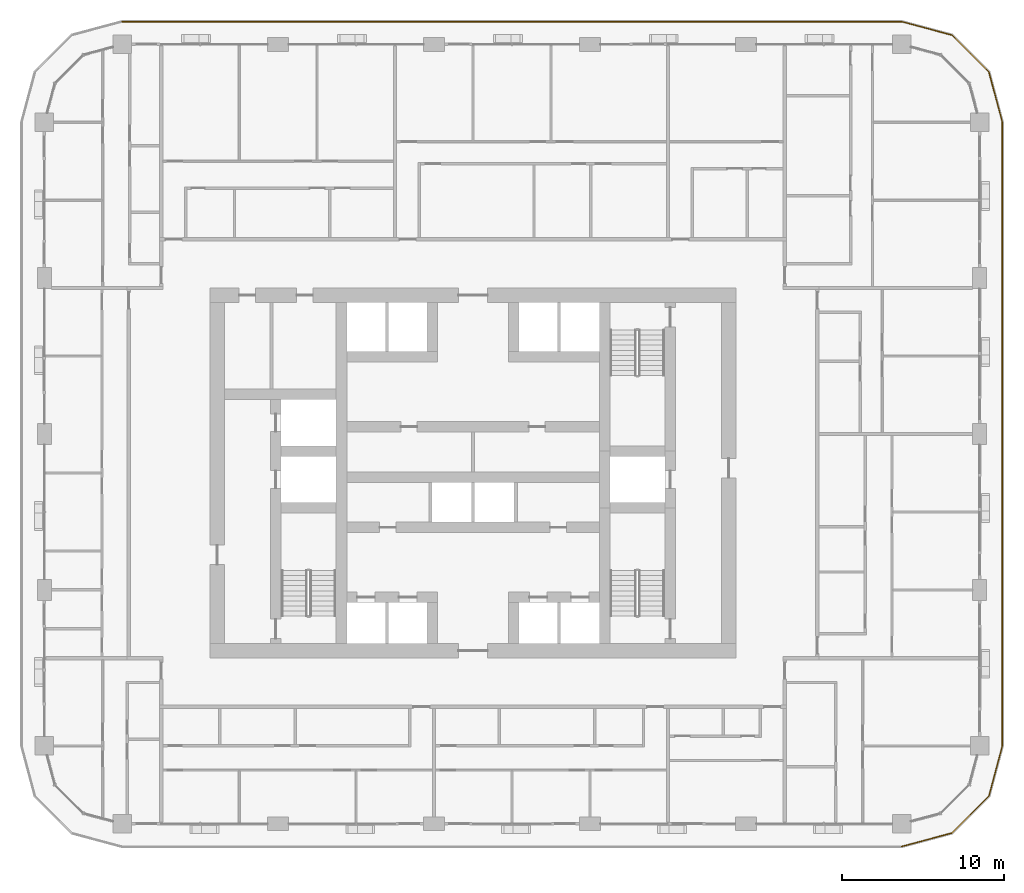
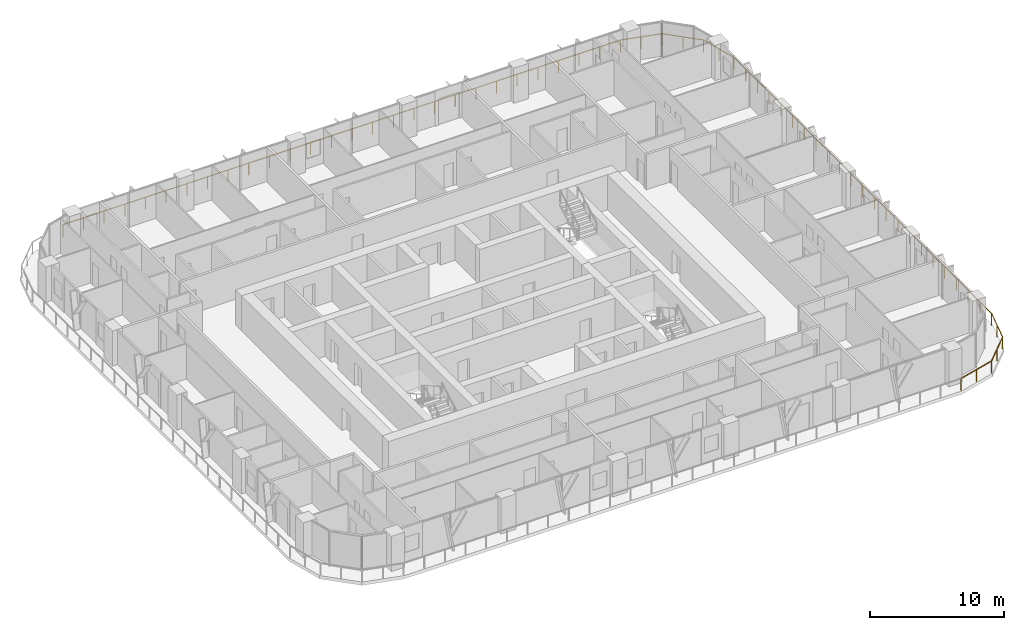
# One storey, part 19 of 21: 1 railing.
"""IFC4 building model written with IfcOpenShell, lengths in metres."""

import ifcopenshell
import ifcopenshell.guid

model = None  # the IFC model being written
_history = None  # IfcOwnerHistory: only IFC2X3 demands one
_inside = {}  # id of a spatial element -> (the spatial element, [elements in it])
_under = {}  # id of a project, library or spatial element -> (it, [spatial elements below it])
_declared = {}  # id of a project -> (the project, [libraries it declares])
_typed = {}  # id of a type object -> (the type object, [elements of that type])
_made_of = {}  # id of a material, layer set ... -> (it, [elements and type objects made of it])


def new_model(schema):
    """Start an empty IFC model of exactly this schema.

    Asked for "IFC4X3", IfcOpenShell would pick the latest addendum, in which some entities
    have other attributes; the version numbers below select the first issue.
    IFC2X3 requires an IfcOwnerHistory on every rooted entity: one is made here for all.
    """
    global model, _history
    if schema == "IFC4X3":
        model = ifcopenshell.file(schema_version=(4, 3, 0, 0))
    else:
        model = ifcopenshell.file(schema=schema)
    _inside.clear()
    _under.clear()
    _declared.clear()
    _typed.clear()
    _made_of.clear()
    _history = None
    if model.schema == "IFC2X3":
        org = make("IfcOrganization", Name="unknown")
        user = make(
            "IfcPersonAndOrganization",
            ThePerson=make("IfcPerson", FamilyName="unknown"),
            TheOrganization=org,
        )
        app = make(
            "IfcApplication",
            ApplicationDeveloper=org,
            Version="unknown",
            ApplicationFullName="unknown",
            ApplicationIdentifier="unknown",
        )
        _history = make(
            "IfcOwnerHistory",
            OwningUser=user,
            OwningApplication=app,
            ChangeAction="ADDED",
            CreationDate=0,
        )
    return model


def make(cls, **values):
    """One entity of the class cls with the attributes given. An attribute that is None is left unset."""
    return model.create_entity(
        cls, **{name: value for name, value in values.items() if value is not None}
    )


def rooted(cls, **values):
    """An entity with a GlobalId (a new one), such as an element, a storey or a relation."""
    return make(cls, GlobalId=ifcopenshell.guid.new(), OwnerHistory=_history, **values)


def si_unit(unit_type, name, prefix=None):
    """IfcSIUnit, for example si_unit("LENGTHUNIT", "METRE", prefix="MILLI")."""
    return make("IfcSIUnit", UnitType=unit_type, Prefix=prefix, Name=name)


def assignment(units):
    """IfcUnitAssignment: the units of a project."""
    return None if units is None else make("IfcUnitAssignment", Units=units)


def point(xyz):
    """IfcCartesianPoint."""
    return None if xyz is None else make("IfcCartesianPoint", Coordinates=xyz)


def direction(xyz):
    """IfcDirection."""
    return None if xyz is None else make("IfcDirection", DirectionRatios=xyz)


def frame(location, z_axis=None, x_axis=None):
    """IfcAxis2Placement3D, a coordinate frame: its origin and axes. An axis left out is left unset."""
    return make(
        "IfcAxis2Placement3D",
        Location=point(location),
        Axis=direction(z_axis),
        RefDirection=direction(x_axis),
    )


def frame_2d(location, x_axis=None):
    """IfcAxis2Placement2D, a coordinate frame in the plane: its origin and x axis."""
    return make(
        "IfcAxis2Placement2D", Location=point(location), RefDirection=direction(x_axis)
    )


def origin():
    """The frame at (0, 0, 0) with its axes left unset."""
    return frame((0.0, 0.0, 0.0))


def origin_2d():
    """The frame at (0, 0) in the plane with its x axis left unset."""
    return frame_2d((0.0, 0.0))


def place(relative_to, where):
    """IfcLocalPlacement: puts the frame where relative to a parent placement (None: the world)."""
    return make(
        "IfcLocalPlacement", PlacementRelTo=relative_to, RelativePlacement=where
    )


def context(
    kind, dimensions, precision=None, world=None, true_north=None, identifier=None
):
    """IfcGeometricRepresentationContext, for example the 3D "Model" context."""
    return make(
        "IfcGeometricRepresentationContext",
        ContextIdentifier=identifier,
        ContextType=kind,
        CoordinateSpaceDimension=dimensions,
        Precision=precision,
        WorldCoordinateSystem=world,
        TrueNorth=true_north,
    )


def subcontext(parent, identifier, kind, view, scale=None):
    """IfcGeometricRepresentationSubContext, for example "Body" below "Model"."""
    return make(
        "IfcGeometricRepresentationSubContext",
        ContextIdentifier=identifier,
        ContextType=kind,
        ParentContext=parent,
        TargetScale=scale,
        TargetView=view,
    )


def project(units=None, contexts=None):
    """IfcProject with its units and contexts."""
    return rooted(
        "IfcProject",
        Name="project",
        RepresentationContexts=contexts,
        UnitsInContext=assignment(units),
    )


def spatial(cls, under=None, at=None, **own):
    """A site, building, storey or space (cls), placed at a placement, below another one or the project."""
    s = rooted(cls, ObjectPlacement=at, **own)
    if under is not None:
        _under.setdefault(under.id(), (under, []))[1].append(s)
    return s


def profile(cls, at=None, kind="AREA", **sizes):
    """A parametric profile (cls). Its sizes go by their IFC names, for example OverallWidth=200.0."""
    return make(cls, ProfileType=kind, Position=at, **sizes)


def circle(**sizes):
    """IfcCircleProfileDef."""
    return profile("IfcCircleProfileDef", **sizes)


def extrude(swept, where, along, depth):
    """IfcExtrudedAreaSolid: the profile swept, set in the frame where, extruded along a direction by depth."""
    return make(
        "IfcExtrudedAreaSolid",
        SweptArea=swept,
        Position=where,
        ExtrudedDirection=direction(along),
        Depth=depth,
    )


def shape(context_of_items, identifier, shape_type, items):
    """IfcShapeRepresentation: the items that make up one representation, for example the "Body"."""
    return make(
        "IfcShapeRepresentation",
        ContextOfItems=context_of_items,
        RepresentationIdentifier=identifier,
        RepresentationType=shape_type,
        Items=items,
    )


def material(Name=None, Category=None):
    """IfcMaterial."""
    return make("IfcMaterial", Name=Name, Category=Category)


def made_of(thing, what):
    """Note that an element or type object is made of a material, layer set ...; save() writes the relation."""
    if what is not None:
        _made_of.setdefault(what.id(), (what, []))[1].append(thing)
    return thing


def type_object(cls, material=None, **own):
    """A type object (cls), such as IfcWallType, which elements share."""
    return made_of(rooted(cls, **own), material)


def element(
    cls,
    number,
    at=None,
    inside=None,
    cuts=None,
    type_object=None,
    material=None,
    context=None,
    identifier="Body",
    shape_type=None,
    held_by="IfcProductDefinitionShape",
    body=None,
    shapes=None,
    **own,
):
    """One element of the class cls, such as IfcWall. Its Tag is "e" and its number.

    at: its placement. inside: the storey or other place that contains it. cuts: it is an
    opening in that element (IfcRelVoidsElement). A single representation is given by context,
    identifier, shape_type and body (its items); several are given by shapes. held_by: the class
    of the entity that holds the representations. save() writes the other relations.
    """
    e = rooted(cls, Tag="e%d" % number, ObjectPlacement=at, **own)
    if body is not None:
        shapes = [shape(context, identifier, shape_type, body)]
    if shapes is not None:
        e.Representation = make(held_by, Representations=shapes)
    if inside is not None:
        _inside.setdefault(inside.id(), (inside, []))[1].append(e)
    if cuts is not None:
        rooted(
            "IfcRelVoidsElement", RelatingBuildingElement=cuts, RelatedOpeningElement=e
        )
    if type_object is not None:
        _typed.setdefault(type_object.id(), (type_object, []))[1].append(e)
    return made_of(e, material)


def aggregate(whole, parts):
    """IfcRelAggregates: a whole, such as a stair, and the parts it consists of."""
    return rooted("IfcRelAggregates", RelatingObject=whole, RelatedObjects=parts)


def save(model, path):
    """Write the relations noted so far, then the file.

    IfcRelAggregates (storeys below a building ...), IfcRelContainedInSpatialStructure (elements
    in a storey), IfcRelDefinesByType, IfcRelAssociatesMaterial and IfcRelDeclares: one each for
    every whole, place, type object, material and project.
    """
    for whole, parts in _under.values():
        aggregate(whole, parts)
    for where, things in _inside.values():
        rooted(
            "IfcRelContainedInSpatialStructure",
            RelatedElements=things,
            RelatingStructure=where,
        )
    for kind, things in _typed.values():
        rooted("IfcRelDefinesByType", RelatedObjects=things, RelatingType=kind)
    for what, things in _made_of.values():
        rooted("IfcRelAssociatesMaterial", RelatedObjects=things, RelatingMaterial=what)
    for by, libraries in _declared.values():
        rooted("IfcRelDeclares", RelatingContext=by, RelatedDefinitions=libraries)
    model.write(path)


model = new_model("IFC4")

# Units and contexts
model_context = context("Model", 3, precision=1e-05, world=origin(), true_north=direction((0.0, 1.0)))
body_context = subcontext(model_context, "Body", "Model", "MODEL_VIEW")
ifc_project = project(units=[si_unit("LENGTHUNIT", "METRE"), si_unit("AREAUNIT", "SQUARE_METRE"), si_unit("VOLUMEUNIT", "CUBIC_METRE"), si_unit("PLANEANGLEUNIT", "RADIAN"), si_unit("MASSUNIT", "GRAM", prefix="KILO")], contexts=[model_context])

# Site, building, storey
site_placement = place(None, origin())
site = spatial("IfcSite", under=ifc_project, at=site_placement, CompositionType="ELEMENT")
building_placement = place(site_placement, origin())
building = spatial("IfcBuilding", under=site, at=building_placement, Name="Madar Terraces", CompositionType="ELEMENT")
storey_placement = place(building_placement, frame((0.0, 0.0, 96.199951171875)))
storey = spatial("IfcBuildingStorey", under=building, at=storey_placement, Name="L24", CompositionType="ELEMENT", Elevation=96.199951171875)

# Railing
ifc_material = material(Name="Glass, safety glazing, with stainless steel posts", Category="steel")
railing_type = type_object("IfcRailingType", Name="Balcony glass guard 1100", PredefinedType="GUARDRAIL", material=ifc_material)
railing_placement = place(storey_placement, frame((57.60009765625, 3.39990234375, 0.0)))
element("IfcRailing", 1, at=railing_placement, inside=storey, type_object=railing_type, Name="Balcony guard", PredefinedType="GUARDRAIL", context=body_context, shape_type="SweptSolid", body=[
    extrude(circle(Radius=0.02392578125, at=origin_2d()), frame((0.0, 0.0, 1.076171875), z_axis=(0.965909675762, 0.25887931217, 0.0), x_axis=(-0.25887931217, 0.965909675762, 0.0)), (0.0, 0.0, 1.0), 3.209228515625),
    extrude(circle(Radius=0.02392578125, at=origin_2d()), frame((3.099853515625, 0.830810546875, 1.076171875), z_axis=(0.707144815061, 0.707068745266, 0.0), x_axis=(-0.707068745266, 0.707144815061, 0.0)), (0.0, 0.0, 1.0), 3.20947265625),
    extrude(circle(Radius=0.02392578125, at=origin_2d()), frame((5.369384765625, 3.10009765625, 1.076171875), z_axis=(0.258789317819, 0.9659337912, 0.0), x_axis=(-0.9659337912, 0.258789317819, 0.0)), (0.0, 0.0, 1.0), 3.20947265625),
    extrude(circle(Radius=0.02392578125, at=origin_2d()), frame((6.199951171875, 6.2001953125, 1.076171875), z_axis=(0.0, 1.0, 0.0), x_axis=(-1.0, 0.0, 0.0)), (0.0, 0.0, 1.0), 38.39990234375),
    extrude(circle(Radius=0.02392578125, at=origin_2d()), frame((6.199951171875, 44.60009765625, 1.076171875), z_axis=(-0.258789317819, 0.9659337912, 0.0), x_axis=(-0.9659337912, -0.258789317819, 0.0)), (0.0, 0.0, 1.0), 3.20947265625),
    extrude(circle(Radius=0.02392578125, at=origin_2d()), frame((5.369384765625, 47.7001953125, 1.076171875), z_axis=(-0.707144815061, 0.707068745266, 0.0), x_axis=(-0.707068745266, -0.707144815061, 0.0)), (0.0, 0.0, 1.0), 3.20947265625),
    extrude(circle(Radius=0.02392578125, at=origin_2d()), frame((3.099853515625, 49.969482421875, 1.076171875), z_axis=(-0.965928696102, 0.258808334578, 0.0), x_axis=(-0.258808334578, -0.965928696102, 0.0)), (0.0, 0.0, 1.0), 3.209228515625),
    extrude(circle(Radius=0.02392578125, at=origin_2d()), frame((0.0, 50.800048828125, 1.076171875), z_axis=(-1.0, 0.0, 0.0), x_axis=(0.0, -1.0, 0.0)), (0.0, 0.0, 1.0), 48.0),
    extrude(circle(Radius=0.02099609375, at=origin_2d()), origin(), (0.0, 0.0, 1.0), 1.052001953125),
    extrude(circle(Radius=0.02099609375, at=origin_2d()), frame((1.5498046875, 0.41552734375, 0.0)), (0.0, 0.0, 1.0), 1.052001953125),
    extrude(circle(Radius=0.02099609375, at=origin_2d()), frame((3.099853515625, 0.830810546875, 0.0)), (0.0, 0.0, 1.0), 1.052001953125),
    extrude(circle(Radius=0.02099609375, at=origin_2d()), frame((4.234619140625, 1.96533203125, 0.0)), (0.0, 0.0, 1.0), 1.052001953125),
    extrude(circle(Radius=0.02099609375, at=origin_2d()), frame((5.369384765625, 3.10009765625, 0.0)), (0.0, 0.0, 1.0), 1.052001953125),
    extrude(circle(Radius=0.02099609375, at=origin_2d()), frame((5.78466796875, 4.650146484375, 0.0)), (0.0, 0.0, 1.0), 1.052001953125),
    extrude(circle(Radius=0.02099609375, at=origin_2d()), frame((6.199951171875, 6.2001953125, 0.0)), (0.0, 0.0, 1.0), 1.052001953125),
    extrude(circle(Radius=0.02099609375, at=origin_2d()), frame((6.199951171875, 7.945556640625, 0.0)), (0.0, 0.0, 1.0), 1.052001953125),
    extrude(circle(Radius=0.02099609375, at=origin_2d()), frame((6.199951171875, 9.691162109375, 0.0)), (0.0, 0.0, 1.0), 1.052001953125),
    extrude(circle(Radius=0.02099609375, at=origin_2d()), frame((6.199951171875, 11.4365234375, 0.0)), (0.0, 0.0, 1.0), 1.052001953125),
    extrude(circle(Radius=0.02099609375, at=origin_2d()), frame((6.199951171875, 13.181884765625, 0.0)), (0.0, 0.0, 1.0), 1.052001953125),
    extrude(circle(Radius=0.02099609375, at=origin_2d()), frame((6.199951171875, 14.927490234375, 0.0)), (0.0, 0.0, 1.0), 1.052001953125),
    extrude(circle(Radius=0.02099609375, at=origin_2d()), frame((6.199951171875, 16.6728515625, 0.0)), (0.0, 0.0, 1.0), 1.052001953125),
    extrude(circle(Radius=0.02099609375, at=origin_2d()), frame((6.199951171875, 18.41845703125, 0.0)), (0.0, 0.0, 1.0), 1.052001953125),
    extrude(circle(Radius=0.02099609375, at=origin_2d()), frame((6.199951171875, 20.163818359375, 0.0)), (0.0, 0.0, 1.0), 1.052001953125),
    extrude(circle(Radius=0.02099609375, at=origin_2d()), frame((6.199951171875, 21.9091796875, 0.0)), (0.0, 0.0, 1.0), 1.052001953125),
    extrude(circle(Radius=0.02099609375, at=origin_2d()), frame((6.199951171875, 23.65478515625, 0.0)), (0.0, 0.0, 1.0), 1.052001953125),
    extrude(circle(Radius=0.02099609375, at=origin_2d()), frame((6.199951171875, 25.400146484375, 0.0)), (0.0, 0.0, 1.0), 1.052001953125),
    extrude(circle(Radius=0.02099609375, at=origin_2d()), frame((6.199951171875, 27.1455078125, 0.0)), (0.0, 0.0, 1.0), 1.052001953125),
    extrude(circle(Radius=0.02099609375, at=origin_2d()), frame((6.199951171875, 28.89111328125, 0.0)), (0.0, 0.0, 1.0), 1.052001953125),
    extrude(circle(Radius=0.02099609375, at=origin_2d()), frame((6.199951171875, 30.636474609375, 0.0)), (0.0, 0.0, 1.0), 1.052001953125),
    extrude(circle(Radius=0.02099609375, at=origin_2d()), frame((6.199951171875, 32.3818359375, 0.0)), (0.0, 0.0, 1.0), 1.052001953125),
    extrude(circle(Radius=0.02099609375, at=origin_2d()), frame((6.199951171875, 34.12744140625, 0.0)), (0.0, 0.0, 1.0), 1.052001953125),
    extrude(circle(Radius=0.02099609375, at=origin_2d()), frame((6.199951171875, 35.872802734375, 0.0)), (0.0, 0.0, 1.0), 1.052001953125),
    extrude(circle(Radius=0.02099609375, at=origin_2d()), frame((6.199951171875, 37.618408203125, 0.0)), (0.0, 0.0, 1.0), 1.052001953125),
    extrude(circle(Radius=0.02099609375, at=origin_2d()), frame((6.199951171875, 39.36376953125, 0.0)), (0.0, 0.0, 1.0), 1.052001953125),
    extrude(circle(Radius=0.02099609375, at=origin_2d()), frame((6.199951171875, 41.109130859375, 0.0)), (0.0, 0.0, 1.0), 1.052001953125),
    extrude(circle(Radius=0.02099609375, at=origin_2d()), frame((6.199951171875, 42.854736328125, 0.0)), (0.0, 0.0, 1.0), 1.052001953125),
    extrude(circle(Radius=0.02099609375, at=origin_2d()), frame((6.199951171875, 44.60009765625, 0.0)), (0.0, 0.0, 1.0), 1.052001953125),
    extrude(circle(Radius=0.02099609375, at=origin_2d()), frame((5.78466796875, 46.150146484375, 0.0)), (0.0, 0.0, 1.0), 1.052001953125),
    extrude(circle(Radius=0.02099609375, at=origin_2d()), frame((5.369384765625, 47.7001953125, 0.0)), (0.0, 0.0, 1.0), 1.052001953125),
    extrude(circle(Radius=0.02099609375, at=origin_2d()), frame((4.234619140625, 48.8349609375, 0.0)), (0.0, 0.0, 1.0), 1.052001953125),
    extrude(circle(Radius=0.02099609375, at=origin_2d()), frame((3.099853515625, 49.969482421875, 0.0)), (0.0, 0.0, 1.0), 1.052001953125),
    extrude(circle(Radius=0.02099609375, at=origin_2d()), frame((1.5498046875, 50.384765625, 0.0)), (0.0, 0.0, 1.0), 1.052001953125),
    extrude(circle(Radius=0.02099609375, at=origin_2d()), frame((0.0, 50.800048828125, 0.0)), (0.0, 0.0, 1.0), 1.052001953125),
    extrude(circle(Radius=0.02099609375, at=origin_2d()), frame((-1.77783203125, 50.800048828125, 0.0)), (0.0, 0.0, 1.0), 1.052001953125),
    extrude(circle(Radius=0.02099609375, at=origin_2d()), frame((-3.5556640625, 50.800048828125, 0.0)), (0.0, 0.0, 1.0), 1.052001953125),
    extrude(circle(Radius=0.02099609375, at=origin_2d()), frame((-5.333251953125, 50.800048828125, 0.0)), (0.0, 0.0, 1.0), 1.052001953125),
    extrude(circle(Radius=0.02099609375, at=origin_2d()), frame((-7.111083984375, 50.800048828125, 0.0)), (0.0, 0.0, 1.0), 1.052001953125),
    extrude(circle(Radius=0.02099609375, at=origin_2d()), frame((-8.888916015625, 50.800048828125, 0.0)), (0.0, 0.0, 1.0), 1.052001953125),
    extrude(circle(Radius=0.02099609375, at=origin_2d()), frame((-10.666748046875, 50.800048828125, 0.0)), (0.0, 0.0, 1.0), 1.052001953125),
    extrude(circle(Radius=0.02099609375, at=origin_2d()), frame((-12.4443359375, 50.800048828125, 0.0)), (0.0, 0.0, 1.0), 1.052001953125),
    extrude(circle(Radius=0.02099609375, at=origin_2d()), frame((-14.22216796875, 50.800048828125, 0.0)), (0.0, 0.0, 1.0), 1.052001953125),
    extrude(circle(Radius=0.02099609375, at=origin_2d()), frame((-16.0, 50.800048828125, 0.0)), (0.0, 0.0, 1.0), 1.052001953125),
    extrude(circle(Radius=0.02099609375, at=origin_2d()), frame((-17.77783203125, 50.800048828125, 0.0)), (0.0, 0.0, 1.0), 1.052001953125),
    extrude(circle(Radius=0.02099609375, at=origin_2d()), frame((-19.5556640625, 50.800048828125, 0.0)), (0.0, 0.0, 1.0), 1.052001953125),
    extrude(circle(Radius=0.02099609375, at=origin_2d()), frame((-21.333251953125, 50.800048828125, 0.0)), (0.0, 0.0, 1.0), 1.052001953125),
    extrude(circle(Radius=0.02099609375, at=origin_2d()), frame((-23.111083984375, 50.800048828125, 0.0)), (0.0, 0.0, 1.0), 1.052001953125),
    extrude(circle(Radius=0.02099609375, at=origin_2d()), frame((-24.888916015625, 50.800048828125, 0.0)), (0.0, 0.0, 1.0), 1.052001953125),
    extrude(circle(Radius=0.02099609375, at=origin_2d()), frame((-26.666748046875, 50.800048828125, 0.0)), (0.0, 0.0, 1.0), 1.052001953125),
    extrude(circle(Radius=0.02099609375, at=origin_2d()), frame((-28.4443359375, 50.800048828125, 0.0)), (0.0, 0.0, 1.0), 1.052001953125),
    extrude(circle(Radius=0.02099609375, at=origin_2d()), frame((-30.22216796875, 50.800048828125, 0.0)), (0.0, 0.0, 1.0), 1.052001953125),
    extrude(circle(Radius=0.02099609375, at=origin_2d()), frame((-32.0, 50.800048828125, 0.0)), (0.0, 0.0, 1.0), 1.052001953125),
    extrude(circle(Radius=0.02099609375, at=origin_2d()), frame((-33.77783203125, 50.800048828125, 0.0)), (0.0, 0.0, 1.0), 1.052001953125),
    extrude(circle(Radius=0.02099609375, at=origin_2d()), frame((-35.5556640625, 50.800048828125, 0.0)), (0.0, 0.0, 1.0), 1.052001953125),
    extrude(circle(Radius=0.02099609375, at=origin_2d()), frame((-37.333251953125, 50.800048828125, 0.0)), (0.0, 0.0, 1.0), 1.052001953125),
    extrude(circle(Radius=0.02099609375, at=origin_2d()), frame((-39.111083984375, 50.800048828125, 0.0)), (0.0, 0.0, 1.0), 1.052001953125),
    extrude(circle(Radius=0.02099609375, at=origin_2d()), frame((-40.888916015625, 50.800048828125, 0.0)), (0.0, 0.0, 1.0), 1.052001953125),
    extrude(circle(Radius=0.02099609375, at=origin_2d()), frame((-42.666748046875, 50.800048828125, 0.0)), (0.0, 0.0, 1.0), 1.052001953125),
    extrude(circle(Radius=0.02099609375, at=origin_2d()), frame((-44.4443359375, 50.800048828125, 0.0)), (0.0, 0.0, 1.0), 1.052001953125),
    extrude(circle(Radius=0.02099609375, at=origin_2d()), frame((-46.22216796875, 50.800048828125, 0.0)), (0.0, 0.0, 1.0), 1.052001953125),
    extrude(circle(Radius=0.02099609375, at=origin_2d()), frame((-48.0, 50.800048828125, 0.0)), (0.0, 0.0, 1.0), 1.052001953125),
])

save(model, "model.ifc")
